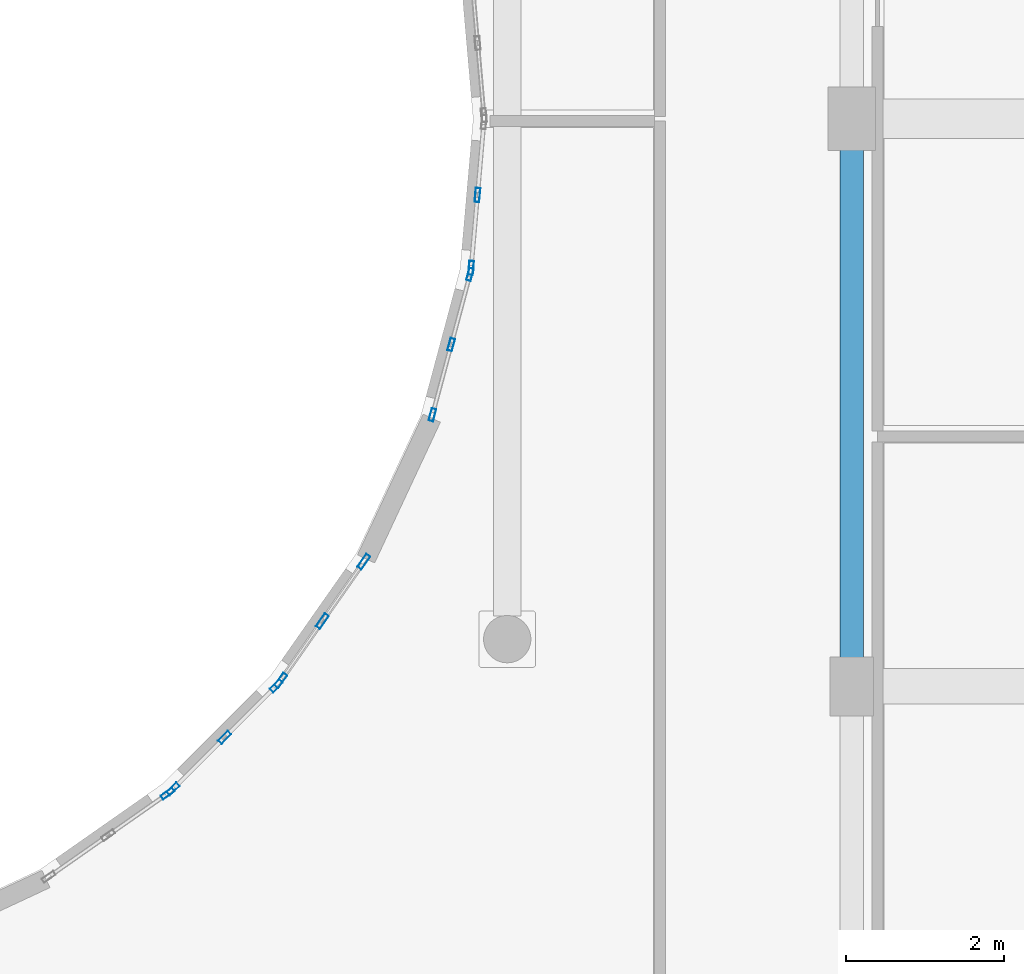
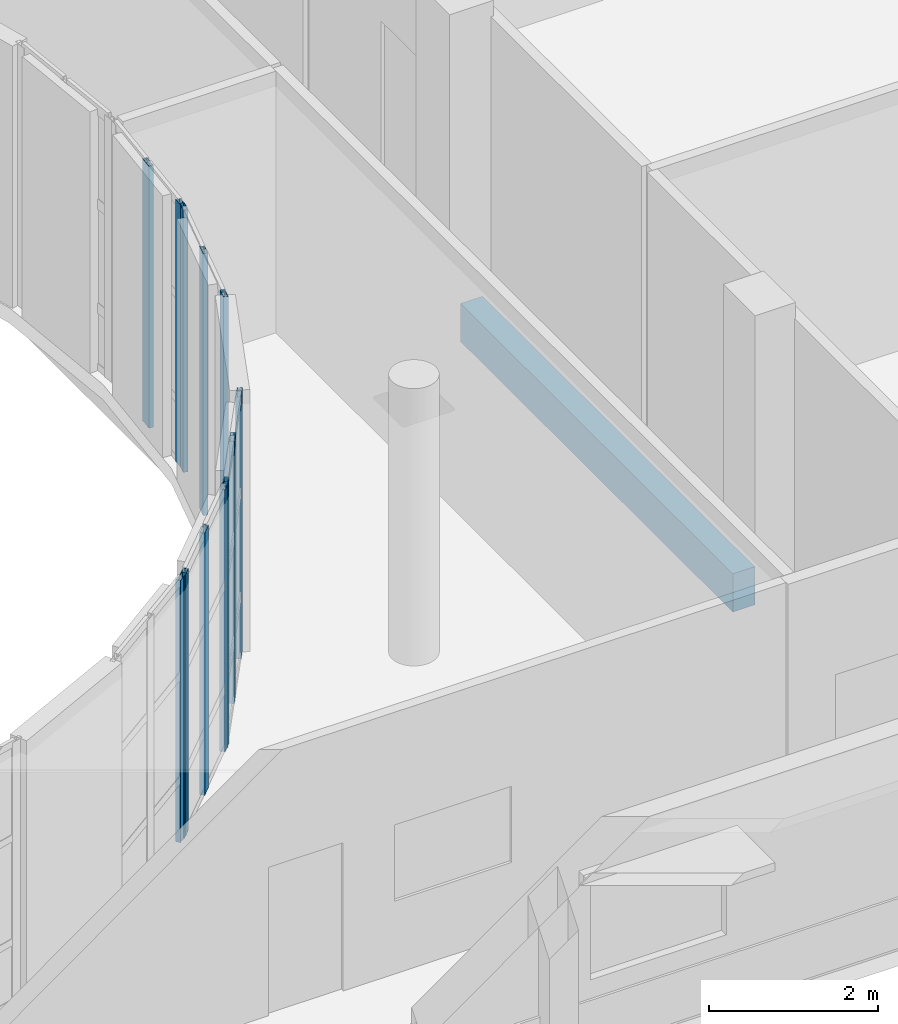
# One storey, part 31 of 105: 12 members, 1 beam, 5 elements without a shape of their own.
"""IFC4 building model written with IfcOpenShell, lengths in metres."""

import ifcopenshell
import ifcopenshell.guid

model = None  # the IFC model being written
_history = None  # IfcOwnerHistory: only IFC2X3 demands one
_inside = {}  # id of a spatial element -> (the spatial element, [elements in it])
_under = {}  # id of a project, library or spatial element -> (it, [spatial elements below it])
_declared = {}  # id of a project -> (the project, [libraries it declares])
_typed = {}  # id of a type object -> (the type object, [elements of that type])
_made_of = {}  # id of a material, layer set ... -> (it, [elements and type objects made of it])


def new_model(schema):
    """Start an empty IFC model of exactly this schema.

    Asked for "IFC4X3", IfcOpenShell would pick the latest addendum, in which some entities
    have other attributes; the version numbers below select the first issue.
    IFC2X3 requires an IfcOwnerHistory on every rooted entity: one is made here for all.
    """
    global model, _history
    if schema == "IFC4X3":
        model = ifcopenshell.file(schema_version=(4, 3, 0, 0))
    else:
        model = ifcopenshell.file(schema=schema)
    _inside.clear()
    _under.clear()
    _declared.clear()
    _typed.clear()
    _made_of.clear()
    _history = None
    if model.schema == "IFC2X3":
        org = make("IfcOrganization", Name="unknown")
        user = make(
            "IfcPersonAndOrganization",
            ThePerson=make("IfcPerson", FamilyName="unknown"),
            TheOrganization=org,
        )
        app = make(
            "IfcApplication",
            ApplicationDeveloper=org,
            Version="unknown",
            ApplicationFullName="unknown",
            ApplicationIdentifier="unknown",
        )
        _history = make(
            "IfcOwnerHistory",
            OwningUser=user,
            OwningApplication=app,
            ChangeAction="ADDED",
            CreationDate=0,
        )
    return model


def make(cls, **values):
    """One entity of the class cls with the attributes given. An attribute that is None is left unset."""
    return model.create_entity(
        cls, **{name: value for name, value in values.items() if value is not None}
    )


def rooted(cls, **values):
    """An entity with a GlobalId (a new one), such as an element, a storey or a relation."""
    return make(cls, GlobalId=ifcopenshell.guid.new(), OwnerHistory=_history, **values)


def si_unit(unit_type, name, prefix=None):
    """IfcSIUnit, for example si_unit("LENGTHUNIT", "METRE", prefix="MILLI")."""
    return make("IfcSIUnit", UnitType=unit_type, Prefix=prefix, Name=name)


def assignment(units):
    """IfcUnitAssignment: the units of a project."""
    return None if units is None else make("IfcUnitAssignment", Units=units)


def point(xyz):
    """IfcCartesianPoint."""
    return None if xyz is None else make("IfcCartesianPoint", Coordinates=xyz)


def direction(xyz):
    """IfcDirection."""
    return None if xyz is None else make("IfcDirection", DirectionRatios=xyz)


def frame(location, z_axis=None, x_axis=None):
    """IfcAxis2Placement3D, a coordinate frame: its origin and axes. An axis left out is left unset."""
    return make(
        "IfcAxis2Placement3D",
        Location=point(location),
        Axis=direction(z_axis),
        RefDirection=direction(x_axis),
    )


def frame_2d(location, x_axis=None):
    """IfcAxis2Placement2D, a coordinate frame in the plane: its origin and x axis."""
    return make(
        "IfcAxis2Placement2D", Location=point(location), RefDirection=direction(x_axis)
    )


def origin():
    """The frame at (0, 0, 0) with its axes left unset."""
    return frame((0.0, 0.0, 0.0))


def origin_2d():
    """The frame at (0, 0) in the plane with its x axis left unset."""
    return frame_2d((0.0, 0.0))


def place(relative_to, where):
    """IfcLocalPlacement: puts the frame where relative to a parent placement (None: the world)."""
    return make(
        "IfcLocalPlacement", PlacementRelTo=relative_to, RelativePlacement=where
    )


def context(
    kind, dimensions, precision=None, world=None, true_north=None, identifier=None
):
    """IfcGeometricRepresentationContext, for example the 3D "Model" context."""
    return make(
        "IfcGeometricRepresentationContext",
        ContextIdentifier=identifier,
        ContextType=kind,
        CoordinateSpaceDimension=dimensions,
        Precision=precision,
        WorldCoordinateSystem=world,
        TrueNorth=true_north,
    )


def subcontext(parent, identifier, kind, view, scale=None):
    """IfcGeometricRepresentationSubContext, for example "Body" below "Model"."""
    return make(
        "IfcGeometricRepresentationSubContext",
        ContextIdentifier=identifier,
        ContextType=kind,
        ParentContext=parent,
        TargetScale=scale,
        TargetView=view,
    )


def project(units=None, contexts=None):
    """IfcProject with its units and contexts."""
    return rooted(
        "IfcProject",
        Name="project",
        RepresentationContexts=contexts,
        UnitsInContext=assignment(units),
    )


def spatial(cls, under=None, at=None, **own):
    """A site, building, storey or space (cls), placed at a placement, below another one or the project."""
    s = rooted(cls, ObjectPlacement=at, **own)
    if under is not None:
        _under.setdefault(under.id(), (under, []))[1].append(s)
    return s


def profile(cls, at=None, kind="AREA", **sizes):
    """A parametric profile (cls). Its sizes go by their IFC names, for example OverallWidth=200.0."""
    return make(cls, ProfileType=kind, Position=at, **sizes)


def rectangle(**sizes):
    """IfcRectangleProfileDef."""
    return profile("IfcRectangleProfileDef", **sizes)


def hollow_rectangle(**sizes):
    """IfcRectangleHollowProfileDef."""
    return profile("IfcRectangleHollowProfileDef", **sizes)


def extrude(swept, where, along, depth):
    """IfcExtrudedAreaSolid: the profile swept, set in the frame where, extruded along a direction by depth."""
    return make(
        "IfcExtrudedAreaSolid",
        SweptArea=swept,
        Position=where,
        ExtrudedDirection=direction(along),
        Depth=depth,
    )


def shape(context_of_items, identifier, shape_type, items):
    """IfcShapeRepresentation: the items that make up one representation, for example the "Body"."""
    return make(
        "IfcShapeRepresentation",
        ContextOfItems=context_of_items,
        RepresentationIdentifier=identifier,
        RepresentationType=shape_type,
        Items=items,
    )


def material(Name=None, Category=None):
    """IfcMaterial."""
    return make("IfcMaterial", Name=Name, Category=Category)


def layer(
    of_material, thickness, ventilated=None, Name=None, Category=None, Priority=None
):
    """IfcMaterialLayer: one layer of a wall or slab, of a material (None: an air gap)."""
    return make(
        "IfcMaterialLayer",
        Material=of_material,
        LayerThickness=thickness,
        IsVentilated=ventilated,
        Name=Name,
        Category=Category,
        Priority=Priority,
    )


def layer_set(layers, Name=None):
    """IfcMaterialLayerSet."""
    return make("IfcMaterialLayerSet", MaterialLayers=layers, LayerSetName=Name)


def material_profile(
    of_material, cross_section, Name=None, Category=None, Priority=None
):
    """IfcMaterialProfile: a cross section and its material."""
    return make(
        "IfcMaterialProfile",
        Name=Name,
        Material=of_material,
        Profile=cross_section,
        Priority=Priority,
        Category=Category,
    )


def profile_set(profiles, Name=None, composite=None):
    """IfcMaterialProfileSet."""
    return make(
        "IfcMaterialProfileSet",
        Name=Name,
        MaterialProfiles=profiles,
        CompositeProfile=composite,
    )


def made_of(thing, what):
    """Note that an element or type object is made of a material, layer set ...; save() writes the relation."""
    if what is not None:
        _made_of.setdefault(what.id(), (what, []))[1].append(thing)
    return thing


def type_object(cls, material=None, **own):
    """A type object (cls), such as IfcWallType, which elements share."""
    return made_of(rooted(cls, **own), material)


def element(
    cls,
    number,
    at=None,
    inside=None,
    cuts=None,
    type_object=None,
    material=None,
    context=None,
    identifier="Body",
    shape_type=None,
    held_by="IfcProductDefinitionShape",
    body=None,
    shapes=None,
    **own,
):
    """One element of the class cls, such as IfcWall. Its Tag is "e" and its number.

    at: its placement. inside: the storey or other place that contains it. cuts: it is an
    opening in that element (IfcRelVoidsElement). A single representation is given by context,
    identifier, shape_type and body (its items); several are given by shapes. held_by: the class
    of the entity that holds the representations. save() writes the other relations.
    """
    e = rooted(cls, Tag="e%d" % number, ObjectPlacement=at, **own)
    if body is not None:
        shapes = [shape(context, identifier, shape_type, body)]
    if shapes is not None:
        e.Representation = make(held_by, Representations=shapes)
    if inside is not None:
        _inside.setdefault(inside.id(), (inside, []))[1].append(e)
    if cuts is not None:
        rooted(
            "IfcRelVoidsElement", RelatingBuildingElement=cuts, RelatedOpeningElement=e
        )
    if type_object is not None:
        _typed.setdefault(type_object.id(), (type_object, []))[1].append(e)
    return made_of(e, material)


def aggregate(whole, parts):
    """IfcRelAggregates: a whole, such as a stair, and the parts it consists of."""
    return rooted("IfcRelAggregates", RelatingObject=whole, RelatedObjects=parts)


def save(model, path):
    """Write the relations noted so far, then the file.

    IfcRelAggregates (storeys below a building ...), IfcRelContainedInSpatialStructure (elements
    in a storey), IfcRelDefinesByType, IfcRelAssociatesMaterial and IfcRelDeclares: one each for
    every whole, place, type object, material and project.
    """
    for whole, parts in _under.values():
        aggregate(whole, parts)
    for where, things in _inside.values():
        rooted(
            "IfcRelContainedInSpatialStructure",
            RelatedElements=things,
            RelatingStructure=where,
        )
    for kind, things in _typed.values():
        rooted("IfcRelDefinesByType", RelatedObjects=things, RelatingType=kind)
    for what, things in _made_of.values():
        rooted("IfcRelAssociatesMaterial", RelatedObjects=things, RelatingMaterial=what)
    for by, libraries in _declared.values():
        rooted("IfcRelDeclares", RelatingContext=by, RelatedDefinitions=libraries)
    model.write(path)


model = new_model("IFC4")

# Units and contexts
model_context = context("Model", 3, precision=1e-05, world=origin(), true_north=direction((0.0, 1.0)))
body_context = subcontext(model_context, "Body", "Model", "MODEL_VIEW")
ifc_project = project(units=[si_unit("LENGTHUNIT", "METRE"), si_unit("AREAUNIT", "SQUARE_METRE"), si_unit("VOLUMEUNIT", "CUBIC_METRE"), si_unit("PLANEANGLEUNIT", "RADIAN"), si_unit("MASSUNIT", "GRAM", prefix="KILO")], contexts=[model_context])

# Site, building, storey
site_placement = place(None, origin())
site = spatial("IfcSite", under=ifc_project, at=site_placement, CompositionType="ELEMENT")
building_placement = place(site_placement, origin())
building = spatial("IfcBuilding", under=site, at=building_placement, Name="Kelanivale Promenade Academy", CompositionType="ELEMENT")
storey_placement = place(building_placement, frame((0.0, 0.0, 4.199951171875)))
storey = spatial("IfcBuildingStorey", under=building, at=storey_placement, Name="L01", CompositionType="ELEMENT", Elevation=4.199951171875)

# Curtain wall, members
ifc_material_1 = material(Name="Bronze anodised aluminium and solar-control low-E glass", Category="aluminium")
ifc_layer_1 = layer(ifc_material_1, 0.179931640625)
ifc_layer_set_1 = layer_set([ifc_layer_1], Name="Bronze anodised aluminium and solar-control low-E glass")
curtain_wall_type_1 = type_object("IfcCurtainWallType", Name="CW-05 Curtain Wall 1950mm Module", PredefinedType="USERDEFINED", material=ifc_layer_set_1)
curtain_wall_1_placement = place(storey_placement, origin())
curtain_wall_1 = element("IfcCurtainWall", 1, at=curtain_wall_1_placement, inside=storey, type_object=curtain_wall_type_1, Name="L01 courtyard curtain wall CW-05", ObjectType="UNITISED GLAZING", PredefinedType="USERDEFINED")
ifc_material_2 = material(Name="Bronze anodised aluminium EN AW-6063 T6", Category="aluminium")
ifc_material_profile_1 = material_profile(ifc_material_2, hollow_rectangle(XDim=0.06005859375, YDim=0.159912109375, WallThickness=0.00390625, at=origin_2d()), Name="ALU 60x160x4.0")
ifc_profile_set_1 = profile_set([ifc_material_profile_1], Name="Bronze anodised aluminium EN AW-6063 T6")
member_type_1 = type_object("IfcMemberType", Name="CWM-01 ALU 60x160x4.0", PredefinedType="MULLION", material=ifc_profile_set_1)
member_1_placement = place(storey_placement, frame((73.8837890625, 53.044921875, 0.0), z_axis=(0.0, 0.0, 1.0), x_axis=(-0.965990259056, 0.258578458902, 0.0)))
member_1 = element("IfcMember", 2, at=member_1_placement, type_object=member_type_1, Name="CW-05 mullion 1", PredefinedType="MULLION", context=body_context, shape_type="SweptSolid", body=[
    extrude(hollow_rectangle(XDim=0.06005859375, YDim=0.159912109375, WallThickness=0.00390625, at=origin_2d()), origin(), (0.0, 0.0, 1.0), 3.780029296875),
])
member_2_placement = place(storey_placement, frame((74.1220703125, 53.93505859375, 0.0), z_axis=(0.0, 0.0, 1.0), x_axis=(-0.965990259056, 0.258578458902, 0.0)))
member_2 = element("IfcMember", 3, at=member_2_placement, type_object=member_type_1, Name="CW-05 mullion 2", PredefinedType="MULLION", context=body_context, shape_type="SweptSolid", body=[
    extrude(hollow_rectangle(XDim=0.06005859375, YDim=0.159912109375, WallThickness=0.00390625, at=origin_2d()), origin(), (0.0, 0.0, 1.0), 3.780029296875),
])
member_3_placement = place(storey_placement, frame((74.3603515625, 54.824951171875, 0.0), z_axis=(0.0, 0.0, 1.0), x_axis=(-0.965990259056, 0.258578458902, 0.0)))
member_3 = element("IfcMember", 4, at=member_3_placement, type_object=member_type_1, Name="CW-05 mullion 3", PredefinedType="MULLION", context=body_context, shape_type="SweptSolid", body=[
    extrude(hollow_rectangle(XDim=0.06005859375, YDim=0.159912109375, WallThickness=0.00390625, at=origin_2d()), origin(), (0.0, 0.0, 1.0), 3.780029296875),
])
aggregate(curtain_wall_1, [member_1, member_2, member_3])

# Curtain wall, member
ifc_layer_2 = layer(ifc_material_1, 0.179931640625)
ifc_layer_set_2 = layer_set([ifc_layer_2], Name="Bronze anodised aluminium and solar-control low-E glass")
curtain_wall_type_2 = type_object("IfcCurtainWallType", Name="CW-02 Curtain Wall 1500mm Module", PredefinedType="USERDEFINED", material=ifc_layer_set_2)
curtain_wall_2_placement = place(storey_placement, origin())
curtain_wall_2 = element("IfcCurtainWall", 5, at=curtain_wall_2_placement, inside=storey, type_object=curtain_wall_type_2, Name="L01 courtyard curtain wall CW-02", ObjectType="UNITISED GLAZING", PredefinedType="USERDEFINED")
ifc_material_profile_2 = material_profile(ifc_material_2, hollow_rectangle(XDim=0.06005859375, YDim=0.179931640625, WallThickness=0.00390625, at=origin_2d()), Name="ALU 60x180x4.0")
ifc_profile_set_2 = profile_set([ifc_material_profile_2], Name="Bronze anodised aluminium EN AW-6063 T6")
member_type_2 = type_object("IfcMemberType", Name="CWM-02 ALU 60x180x4.0", PredefinedType="MULLION", material=ifc_profile_set_2)
member_4_placement = place(storey_placement, frame((70.5263671875, 48.24169921875, 0.0), z_axis=(0.0, 0.0, 1.0), x_axis=(-0.573356527561, 0.819305982099, 0.0)))
member_4 = element("IfcMember", 6, at=member_4_placement, type_object=member_type_2, Name="CW-02 mullion 3", PredefinedType="MULLION", context=body_context, shape_type="SweptSolid", body=[
    extrude(hollow_rectangle(XDim=0.06005859375, YDim=0.179931640625, WallThickness=0.00390625, at=origin_2d()), origin(), (0.0, 0.0, 1.0), 3.780029296875),
])
aggregate(curtain_wall_2, [member_4])

# Curtain wall, members
ifc_layer_3 = layer(ifc_material_1, 0.159912109375)
ifc_layer_set_3 = layer_set([ifc_layer_3], Name="Bronze anodised aluminium and solar-control low-E glass")
curtain_wall_type_3 = type_object("IfcCurtainWallType", Name="CW-06 Curtain Wall 1200mm Module", PredefinedType="USERDEFINED", material=ifc_layer_set_3)
curtain_wall_3_placement = place(storey_placement, origin())
curtain_wall_3 = element("IfcCurtainWall", 7, at=curtain_wall_3_placement, inside=storey, type_object=curtain_wall_type_3, Name="L01 courtyard curtain wall CW-06", ObjectType="UNITISED GLAZING", PredefinedType="USERDEFINED")
member_5_placement = place(storey_placement, frame((74.37451171875, 54.907958984375, 0.0), z_axis=(0.0, 0.0, 1.0), x_axis=(-0.996199376727, 0.087102249164, 0.0)))
member_5 = element("IfcMember", 8, at=member_5_placement, type_object=member_type_2, Name="CW-06 mullion 1", PredefinedType="MULLION", context=body_context, shape_type="SweptSolid", body=[
    extrude(hollow_rectangle(XDim=0.06005859375, YDim=0.179931640625, WallThickness=0.00390625, at=origin_2d()), origin(), (0.0, 0.0, 1.0), 3.780029296875),
])
member_6_placement = place(storey_placement, frame((74.45556640625, 55.8330078125, 0.0), z_axis=(0.0, 0.0, 1.0), x_axis=(-0.996199376727, 0.087102249164, 0.0)))
member_6 = element("IfcMember", 9, at=member_6_placement, type_object=member_type_2, Name="CW-06 mullion 2", PredefinedType="MULLION", context=body_context, shape_type="SweptSolid", body=[
    extrude(hollow_rectangle(XDim=0.06005859375, YDim=0.179931640625, WallThickness=0.00390625, at=origin_2d()), origin(), (0.0, 0.0, 1.0), 3.780029296875),
])
aggregate(curtain_wall_3, [member_5, member_6])

ifc_layer_4 = layer(ifc_material_1, 0.159912109375)
ifc_layer_set_4 = layer_set([ifc_layer_4], Name="Bronze anodised aluminium and solar-control low-E glass")
curtain_wall_type_4 = type_object("IfcCurtainWallType", Name="CW-03 Curtain Wall 1650mm Module", PredefinedType="USERDEFINED", material=ifc_layer_set_4)
curtain_wall_4_placement = place(storey_placement, origin())
curtain_wall_4 = element("IfcCurtainWall", 10, at=curtain_wall_4_placement, inside=storey, type_object=curtain_wall_type_4, Name="L01 courtyard curtain wall CW-03", ObjectType="UNITISED GLAZING", PredefinedType="USERDEFINED")
ifc_material_profile_3 = material_profile(ifc_material_2, hollow_rectangle(XDim=0.06494140625, YDim=0.175048828125, WallThickness=0.00390625, at=origin_2d()), Name="ALU 65x175x4.0")
ifc_profile_set_3 = profile_set([ifc_material_profile_3], Name="Bronze anodised aluminium EN AW-6063 T6")
member_type_3 = type_object("IfcMemberType", Name="CWM-03 ALU 65x175x4.0", PredefinedType="MULLION", material=ifc_profile_set_3)
member_7_placement = place(storey_placement, frame((70.593017578125, 48.298095703125, 0.0), z_axis=(0.0, 0.0, 1.0), x_axis=(-0.707106781187, 0.707106781187, 0.0)))
member_7 = element("IfcMember", 11, at=member_7_placement, type_object=member_type_3, Name="CW-03 mullion 1", PredefinedType="MULLION", context=body_context, shape_type="SweptSolid", body=[
    extrude(hollow_rectangle(XDim=0.06494140625, YDim=0.175048828125, WallThickness=0.00390625, at=origin_2d()), origin(), (0.0, 0.0, 1.0), 3.780029296875),
])
member_8_placement = place(storey_placement, frame((71.24755859375, 48.952392578125, 0.0), z_axis=(0.0, 0.0, 1.0), x_axis=(-0.707106781187, 0.707106781187, 0.0)))
member_8 = element("IfcMember", 12, at=member_8_placement, type_object=member_type_3, Name="CW-03 mullion 2", PredefinedType="MULLION", context=body_context, shape_type="SweptSolid", body=[
    extrude(hollow_rectangle(XDim=0.06494140625, YDim=0.175048828125, WallThickness=0.00390625, at=origin_2d()), origin(), (0.0, 0.0, 1.0), 3.780029296875),
])
member_9_placement = place(storey_placement, frame((71.902099609375, 49.60693359375, 0.0), z_axis=(0.0, 0.0, 1.0), x_axis=(-0.707106781187, 0.707106781187, 0.0)))
member_9 = element("IfcMember", 13, at=member_9_placement, type_object=member_type_3, Name="CW-03 mullion 3", PredefinedType="MULLION", context=body_context, shape_type="SweptSolid", body=[
    extrude(hollow_rectangle(XDim=0.06494140625, YDim=0.175048828125, WallThickness=0.00390625, at=origin_2d()), origin(), (0.0, 0.0, 1.0), 3.780029296875),
])
aggregate(curtain_wall_4, [member_7, member_8, member_9])

ifc_layer_5 = layer(ifc_material_1, 0.169921875)
ifc_layer_set_5 = layer_set([ifc_layer_5], Name="Bronze anodised aluminium and solar-control low-E glass")
curtain_wall_type_5 = type_object("IfcCurtainWallType", Name="CW-04 Curtain Wall 1800mm Module", PredefinedType="USERDEFINED", material=ifc_layer_set_5)
curtain_wall_5_placement = place(storey_placement, origin())
curtain_wall_5 = element("IfcCurtainWall", 14, at=curtain_wall_5_placement, inside=storey, type_object=curtain_wall_type_5, Name="L01 courtyard curtain wall CW-04", ObjectType="UNITISED GLAZING", PredefinedType="USERDEFINED")
ifc_material_profile_4 = material_profile(ifc_material_2, hollow_rectangle(XDim=0.06494140625, YDim=0.199951171875, WallThickness=0.00439453125, at=origin_2d()), Name="ALU 65x200x4.5")
ifc_profile_set_4 = profile_set([ifc_material_profile_4], Name="Bronze anodised aluminium EN AW-6063 T6")
member_type_4 = type_object("IfcMemberType", Name="CWM-04 ALU 65x200x4.5", PredefinedType="MULLION", material=ifc_profile_set_4)
member_10_placement = place(storey_placement, frame((71.959716796875, 49.675537109375, 0.0), z_axis=(0.0, 0.0, 1.0), x_axis=(-0.819305982099, 0.573356527561, 0.0)))
member_10 = element("IfcMember", 15, at=member_10_placement, type_object=member_type_4, Name="CW-04 mullion 1", PredefinedType="MULLION", context=body_context, shape_type="SweptSolid", body=[
    extrude(hollow_rectangle(XDim=0.06494140625, YDim=0.199951171875, WallThickness=0.00439453125, at=origin_2d()), origin(), (0.0, 0.0, 1.0), 3.780029296875),
])
member_11_placement = place(storey_placement, frame((72.486572265625, 50.428466796875, 0.0), z_axis=(0.0, 0.0, 1.0), x_axis=(-0.819305982099, 0.573356527561, 0.0)))
member_11 = element("IfcMember", 16, at=member_11_placement, type_object=member_type_4, Name="CW-04 mullion 2", PredefinedType="MULLION", context=body_context, shape_type="SweptSolid", body=[
    extrude(hollow_rectangle(XDim=0.06494140625, YDim=0.199951171875, WallThickness=0.00439453125, at=origin_2d()), origin(), (0.0, 0.0, 1.0), 3.780029296875),
])
member_12_placement = place(storey_placement, frame((73.013427734375, 51.181396484375, 0.0), z_axis=(0.0, 0.0, 1.0), x_axis=(-0.819305982099, 0.573356527561, 0.0)))
member_12 = element("IfcMember", 17, at=member_12_placement, type_object=member_type_4, Name="CW-04 mullion 3", PredefinedType="MULLION", context=body_context, shape_type="SweptSolid", body=[
    extrude(hollow_rectangle(XDim=0.06494140625, YDim=0.199951171875, WallThickness=0.00439453125, at=origin_2d()), origin(), (0.0, 0.0, 1.0), 3.780029296875),
])
aggregate(curtain_wall_5, [member_10, member_11, member_12])

# Beam
ifc_material_3 = material(Name="Concrete C35/45", Category="concrete")
ifc_material_profile_5 = material_profile(ifc_material_3, rectangle(XDim=0.300048828125, YDim=0.550048828125, at=origin_2d()), Name="RC-BM 300x550")
ifc_profile_set_5 = profile_set([ifc_material_profile_5], Name="Concrete C35/45")
beam_type = type_object("IfcBeamType", Name="JS-02 RC-BM 300x550", PredefinedType="JOIST", material=ifc_profile_set_5)
beam_placement = place(storey_placement, frame((79.199951171875, 49.969970703125, -0.494873046875), z_axis=(0.0, 1.0, 0.0), x_axis=(-1.0, 0.0, 0.0)))
element("IfcBeam", 18, at=beam_placement, inside=storey, type_object=beam_type, Name="L01 beam JS-02", PredefinedType="JOIST", context=body_context, shape_type="SweptSolid", body=[
    extrude(rectangle(XDim=0.300048828125, YDim=0.550048828125, at=origin_2d()), origin(), (0.0, 0.0, 1.0), 6.43505859375),
])

save(model, "model.ifc")
